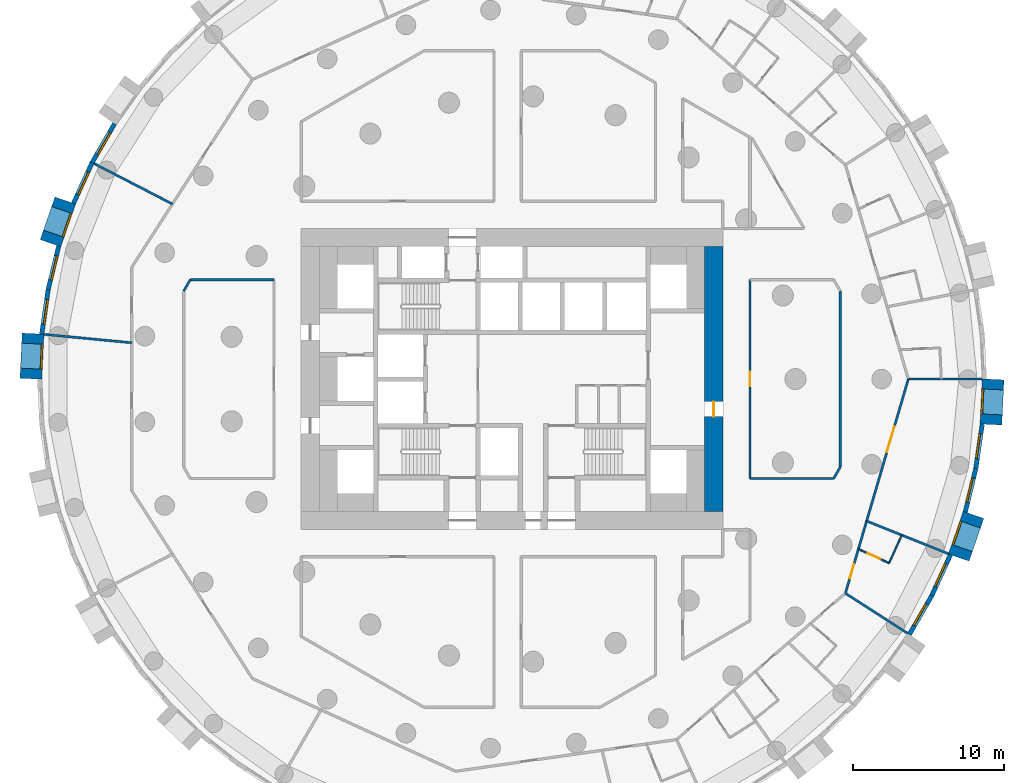
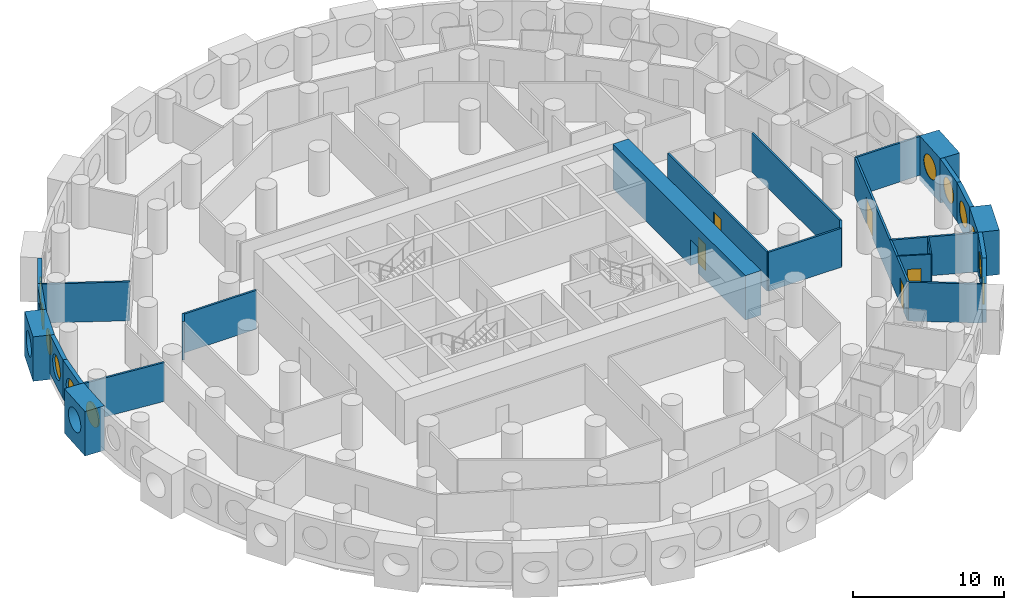
# One storey, part 6 of 12: 27 walls, 12 windows, 5 doors, 17 openings.
"""IFC4 building model written with IfcOpenShell, lengths in metres."""

from ifc_helpers import new_model, si_unit, direction, frame, frame_2d, origin, origin_2d, place, context, subcontext, project, spatial, rectangle, circle, extrude, material, layer, layer_set, type_object, element, fill, save


model = new_model("IFC4")

# Units and contexts
model_context = context("Model", 3, precision=1e-05, world=origin(), true_north=direction((0.0, 1.0)))
body_context = subcontext(model_context, "Body", "Model", "MODEL_VIEW")
ifc_project = project(units=[si_unit("LENGTHUNIT", "METRE"), si_unit("AREAUNIT", "SQUARE_METRE"), si_unit("VOLUMEUNIT", "CUBIC_METRE"), si_unit("PLANEANGLEUNIT", "RADIAN"), si_unit("MASSUNIT", "GRAM", prefix="KILO")], contexts=[model_context])

# Site, building, storey
site_placement = place(None, origin())
site = spatial("IfcSite", under=ifc_project, at=site_placement, CompositionType="ELEMENT")
building_placement = place(site_placement, origin())
building = spatial("IfcBuilding", under=site, at=building_placement, Name="Tracery Tower", CompositionType="ELEMENT")
storey_placement = place(building_placement, frame((0.0, 0.0, 75.0)))
storey = spatial("IfcBuildingStorey", under=building, at=storey_placement, Name="L18", CompositionType="ELEMENT", Elevation=75.0)

# Wall, opening, door
ifc_material_1 = material(Name="Concrete C60/75", Category="concrete")
ifc_layer_1 = layer(ifc_material_1, 1.199951171875)
ifc_layer_set_1 = layer_set([ifc_layer_1], Name="Core wall 1200 C60")
wall_type_1 = type_object("IfcWallType", Name="Core wall 1200 C60", PredefinedType="SOLIDWALL", material=ifc_layer_set_1)
wall_1_placement = place(storey_placement, frame((13.39990234375, -8.800048828125, 0.0), z_axis=(0.0, 0.0, 1.0), x_axis=(0.0, 1.0, 0.0)))
wall_1 = element("IfcWall", 1, at=wall_1_placement, inside=storey, type_object=wall_type_1, Name="L18 outer E", PredefinedType="SOLIDWALL", context=body_context, shape_type="SweptSolid", body=[
    extrude(rectangle(XDim=17.60009765625, YDim=1.199951171875, at=frame_2d((8.800048828125, 0.0))), origin(), (0.0, 0.0, 1.0), 3.60009765625),
])
opening_1_placement = place(wall_1_placement, frame((6.300048828125, 0.0, 0.0)))
opening_1 = element("IfcOpeningElement", 2, at=opening_1_placement, cuts=wall_1, Name="Opening KD18", PredefinedType="OPENING", context=body_context, shape_type="SweptSolid", body=[
    extrude(rectangle(XDim=1.0, YDim=2.10009765625, at=frame_2d((0.5, 1.050048828125))), frame((0.0, 0.60009765625, 0.0), z_axis=(0.0, -1.0, 0.0), x_axis=(1.0, 0.0, 0.0)), (0.0, 0.0, 1.0), 1.199951171875),
])
ifc_material_2 = material(Name="Steel fire door", Category="steel")
door_type_1 = type_object("IfcDoorType", Name="Core exit door 1000", OperationType="NOTDEFINED", PredefinedType="DOOR", material=ifc_material_2)
door_1_placement = place(opening_1_placement, origin())
door_1 = element("IfcDoor", 3, at=door_1_placement, inside=storey, type_object=door_type_1, Name="Core exit door", OperationType="DOUBLE_DOOR_SINGLE_SWING", OverallHeight=2.10009765625, OverallWidth=1.0, PredefinedType="DOOR", context=body_context, shape_type="SweptSolid", body=[
    extrude(rectangle(XDim=1.0, YDim=2.10009765625, at=frame_2d((0.5, 1.050048828125))), frame((0.0, 0.02490234375, 0.0), z_axis=(0.0, -1.0, 0.0), x_axis=(1.0, 0.0, 0.0)), (0.0, 0.0, 1.0), 0.050048828125),
])
fill(opening_1, door_1)

# Wall, opening, window
ifc_material_3 = material(Name="Precast concrete C50/60", Category="concrete")
ifc_layer_2 = layer(ifc_material_3, 1.449951171875)
ifc_layer_set_2 = layer_set([ifc_layer_2], Name="Deep-set bay unit 3000 x 3600, slab edge 450")
wall_type_2 = type_object("IfcWallType", Name="Deep-set bay unit 3000 x 3600, slab edge 450", PredefinedType="ELEMENTEDWALL", material=ifc_layer_set_2)
wall_2_placement = place(storey_placement, frame((-29.66796875, 11.85546875, -0.449951171875), z_axis=(0.0, 0.0, 1.0), x_axis=(-0.327071431777, -0.944999618262, 0.0)))
wall_2 = element("IfcWall", 4, at=wall_2_placement, inside=storey, type_object=wall_type_2, Name="Deep-set bay unit 30 at L18", PredefinedType="ELEMENTEDWALL", context=body_context, shape_type="SweptSolid", body=[
    extrude(rectangle(XDim=3.0, YDim=1.449951171875, at=frame_2d((1.5, 0.0))), origin(), (0.0, 0.0, 1.0), 3.599853515625),
])
opening_2_placement = place(wall_2_placement, frame((1.5, 0.0, 2.0)))
opening_2 = element("IfcOpeningElement", 5, at=opening_2_placement, cuts=wall_2, Name="Opening WN1", PredefinedType="OPENING", context=body_context, shape_type="SweptSolid", body=[
    extrude(circle(Radius=0.9000244140625, at=origin_2d()), frame((0.0, 0.73486328125, 0.0), z_axis=(0.0, -1.0, 0.0), x_axis=(1.0, 0.0, 0.0)), (0.0, 0.0, 1.0), 1.469970703125),
])
ifc_material_4 = material(Name="Aluminium frame with tinted double glazing", Category="aluminium")
window_type = type_object("IfcWindowType", Name="Round window 1800", PartitioningType="SINGLE_PANEL", PredefinedType="WINDOW", material=ifc_material_4)
window_1_placement = place(opening_2_placement, origin())
window_1 = element("IfcWindow", 6, at=window_1_placement, inside=storey, type_object=window_type, Name="Round window 30 at L18", OverallHeight=1.800048828125, OverallWidth=1.800048828125, PartitioningType="SINGLE_PANEL", PredefinedType="WINDOW", context=body_context, shape_type="SweptSolid", body=[
    extrude(circle(Radius=0.9000244140625, at=origin_2d()), frame((0.0, 0.69482421875, 0.0), z_axis=(0.0, -1.0, 0.0), x_axis=(1.0, 0.0, 0.0)), (0.0, 0.0, 1.0), 0.10009765625),
])
fill(opening_2, window_1)

wall_3_placement = place(storey_placement, frame((-31.806396484375, 3.016845703125, -0.449951171875), z_axis=(0.0, 0.0, 1.0), x_axis=(-0.047607680889, -0.998866111509, 0.0)))
wall_3 = element("IfcWall", 7, at=wall_3_placement, inside=storey, type_object=wall_type_2, Name="Deep-set bay unit 33 at L18", PredefinedType="ELEMENTEDWALL", context=body_context, shape_type="SweptSolid", body=[
    extrude(rectangle(XDim=3.0, YDim=1.449951171875, at=frame_2d((1.5, 0.0))), origin(), (0.0, 0.0, 1.0), 3.599853515625),
])
opening_3_placement = place(wall_3_placement, frame((1.5, 0.0, 2.0)))
opening_3 = element("IfcOpeningElement", 8, at=opening_3_placement, cuts=wall_3, Name="Opening WN1", PredefinedType="OPENING", context=body_context, shape_type="SweptSolid", body=[
    extrude(circle(Radius=0.9000244140625, at=origin_2d()), frame((0.0, 0.73486328125, 0.0), z_axis=(0.0, -1.0, 0.0), x_axis=(1.0, 0.0, 0.0)), (0.0, 0.0, 1.0), 1.469970703125),
])
window_2_placement = place(opening_3_placement, origin())
window_2 = element("IfcWindow", 9, at=window_2_placement, inside=storey, type_object=window_type, Name="Round window 33 at L18", OverallHeight=1.800048828125, OverallWidth=1.800048828125, PartitioningType="SINGLE_PANEL", PredefinedType="WINDOW", context=body_context, shape_type="SweptSolid", body=[
    extrude(circle(Radius=0.9000244140625, at=origin_2d()), frame((0.0, 0.69482421875, 0.0), z_axis=(0.0, -1.0, 0.0), x_axis=(1.0, 0.0, 0.0)), (0.0, 0.0, 1.0), 0.10009765625),
])
fill(opening_3, window_2)

wall_4_placement = place(storey_placement, frame((29.66796875, -11.85546875, -0.449951171875), z_axis=(0.0, 0.0, 1.0), x_axis=(0.327071431777, 0.944999618262, 0.0)))
wall_4 = element("IfcWall", 10, at=wall_4_placement, inside=storey, type_object=wall_type_2, Name="Deep-set bay unit 63 at L18", PredefinedType="ELEMENTEDWALL", context=body_context, shape_type="SweptSolid", body=[
    extrude(rectangle(XDim=3.0, YDim=1.449951171875, at=frame_2d((1.5, 0.0))), origin(), (0.0, 0.0, 1.0), 3.599853515625),
])
opening_4_placement = place(wall_4_placement, frame((1.5, 0.0, 2.0)))
opening_4 = element("IfcOpeningElement", 11, at=opening_4_placement, cuts=wall_4, Name="Opening WN1", PredefinedType="OPENING", context=body_context, shape_type="SweptSolid", body=[
    extrude(circle(Radius=0.9000244140625, at=origin_2d()), frame((0.0, 0.73486328125, 0.0), z_axis=(0.0, -1.0, 0.0), x_axis=(1.0, 0.0, 0.0)), (0.0, 0.0, 1.0), 1.469970703125),
])
window_3_placement = place(opening_4_placement, origin())
window_3 = element("IfcWindow", 12, at=window_3_placement, inside=storey, type_object=window_type, Name="Round window 63 at L18", OverallHeight=1.800048828125, OverallWidth=1.800048828125, PartitioningType="SINGLE_PANEL", PredefinedType="WINDOW", context=body_context, shape_type="SweptSolid", body=[
    extrude(circle(Radius=0.9000244140625, at=origin_2d()), frame((0.0, 0.69482421875, 0.0), z_axis=(0.0, -1.0, 0.0), x_axis=(1.0, 0.0, 0.0)), (0.0, 0.0, 1.0), 0.10009765625),
])
fill(opening_4, window_3)

wall_5_placement = place(storey_placement, frame((31.806396484375, -3.016845703125, -0.449951171875), z_axis=(0.0, 0.0, 1.0), x_axis=(0.047607680889, 0.998866111509, 0.0)))
wall_5 = element("IfcWall", 13, at=wall_5_placement, inside=storey, type_object=wall_type_2, Name="Deep-set bay unit 66 at L18", PredefinedType="ELEMENTEDWALL", context=body_context, shape_type="SweptSolid", body=[
    extrude(rectangle(XDim=3.0, YDim=1.449951171875, at=frame_2d((1.5, 0.0))), origin(), (0.0, 0.0, 1.0), 3.599853515625),
])
opening_5_placement = place(wall_5_placement, frame((1.5, 0.0, 2.0)))
opening_5 = element("IfcOpeningElement", 14, at=opening_5_placement, cuts=wall_5, Name="Opening WN1", PredefinedType="OPENING", context=body_context, shape_type="SweptSolid", body=[
    extrude(circle(Radius=0.9000244140625, at=origin_2d()), frame((0.0, 0.73486328125, 0.0), z_axis=(0.0, -1.0, 0.0), x_axis=(1.0, 0.0, 0.0)), (0.0, 0.0, 1.0), 1.469970703125),
])
window_4_placement = place(opening_5_placement, origin())
window_4 = element("IfcWindow", 15, at=window_4_placement, inside=storey, type_object=window_type, Name="Round window 66 at L18", OverallHeight=1.800048828125, OverallWidth=1.800048828125, PartitioningType="SINGLE_PANEL", PredefinedType="WINDOW", context=body_context, shape_type="SweptSolid", body=[
    extrude(circle(Radius=0.9000244140625, at=origin_2d()), frame((0.0, 0.69482421875, 0.0), z_axis=(0.0, -1.0, 0.0), x_axis=(1.0, 0.0, 0.0)), (0.0, 0.0, 1.0), 0.10009765625),
])
fill(opening_5, window_4)

ifc_material_5 = material(Name="Precast concrete C50/60", Category="concrete")
ifc_layer_3 = layer(ifc_material_5, 0.300048828125)
ifc_layer_set_3 = layer_set([ifc_layer_3], Name="Facade panel 3000 x 3150")
wall_type_3 = type_object("IfcWallType", Name="Facade panel 3000 x 3150", PredefinedType="SOLIDWALL", material=ifc_layer_set_3)
wall_6_placement = place(storey_placement, frame((-26.39697265625, 16.95703125, 0.0), z_axis=(0.0, 0.0, 1.0), x_axis=(-0.499999078476, -0.866025935826, 0.0)))
wall_6 = element("IfcWall", 16, at=wall_6_placement, inside=storey, type_object=wall_type_3, Name="Facade panel 28 at L18", PredefinedType="SOLIDWALL", context=body_context, shape_type="SweptSolid", body=[
    extrude(rectangle(XDim=2.9794921875, YDim=0.300048828125, at=frame_2d((1.48974609375, 0.0))), origin(), (0.0, 0.0, 1.0), 3.14990234375),
])
opening_6_placement = place(wall_6_placement, frame((1.48974609375, 0.0, 1.5498046875)))
opening_6 = element("IfcOpeningElement", 17, at=opening_6_placement, cuts=wall_6, Name="Opening WN1", PredefinedType="OPENING", context=body_context, shape_type="SweptSolid", body=[
    extrude(circle(Radius=0.9000244140625, at=origin_2d()), frame((0.0, 0.159912109375, 0.0), z_axis=(0.0, -1.0, 0.0), x_axis=(1.0, 0.0, 0.0)), (0.0, 0.0, 1.0), 0.320068359375),
])
window_5_placement = place(opening_6_placement, origin())
window_5 = element("IfcWindow", 18, at=window_5_placement, inside=storey, type_object=window_type, Name="Round window 28 at L18", OverallHeight=1.800048828125, OverallWidth=1.800048828125, PartitioningType="SINGLE_PANEL", PredefinedType="WINDOW", context=body_context, shape_type="SweptSolid", body=[
    extrude(circle(Radius=0.9000244140625, at=origin_2d()), frame((0.0, 0.1201171875, 0.0), z_axis=(0.0, -1.0, 0.0), x_axis=(1.0, 0.0, 0.0)), (0.0, 0.0, 1.0), 0.10009765625),
])
fill(opening_6, window_5)

wall_7_placement = place(storey_placement, frame((-27.88671875, 14.376708984375, 0.0), z_axis=(0.0, 0.0, 1.0), x_axis=(-0.415407317162, -0.909635509888, 0.0)))
wall_7 = element("IfcWall", 19, at=wall_7_placement, inside=storey, type_object=wall_type_3, Name="Facade panel 29 at L18", PredefinedType="SOLIDWALL", context=body_context, shape_type="SweptSolid", body=[
    extrude(rectangle(XDim=2.979736328125, YDim=0.300048828125, at=frame_2d((1.48974609375, 0.0))), origin(), (0.0, 0.0, 1.0), 3.14990234375),
])
opening_7_placement = place(wall_7_placement, frame((1.48974609375, 0.0, 1.5498046875)))
opening_7 = element("IfcOpeningElement", 20, at=opening_7_placement, cuts=wall_7, Name="Opening WN1", PredefinedType="OPENING", context=body_context, shape_type="SweptSolid", body=[
    extrude(circle(Radius=0.9000244140625, at=origin_2d()), frame((0.0, 0.159912109375, 0.0), z_axis=(0.0, -1.0, 0.0), x_axis=(1.0, 0.0, 0.0)), (0.0, 0.0, 1.0), 0.320068359375),
])
window_6_placement = place(opening_7_placement, origin())
window_6 = element("IfcWindow", 21, at=window_6_placement, inside=storey, type_object=window_type, Name="Round window 29 at L18", OverallHeight=1.800048828125, OverallWidth=1.800048828125, PartitioningType="SINGLE_PANEL", PredefinedType="WINDOW", context=body_context, shape_type="SweptSolid", body=[
    extrude(circle(Radius=0.9000244140625, at=origin_2d()), frame((0.0, 0.1201171875, 0.0), z_axis=(0.0, -1.0, 0.0), x_axis=(1.0, 0.0, 0.0)), (0.0, 0.0, 1.0), 0.10009765625),
])
fill(opening_7, window_6)

wall_8_placement = place(storey_placement, frame((-30.10498046875, 8.833251953125, 0.0), z_axis=(0.0, 0.0, 1.0), x_axis=(-0.235743081534, -0.971815414319, 0.0)))
wall_8 = element("IfcWall", 22, at=wall_8_placement, inside=storey, type_object=wall_type_3, Name="Facade panel 31 at L18", PredefinedType="SOLIDWALL", context=body_context, shape_type="SweptSolid", body=[
    extrude(rectangle(XDim=2.9794921875, YDim=0.300048828125, at=frame_2d((1.48974609375, 0.0))), origin(), (0.0, 0.0, 1.0), 3.14990234375),
])
opening_8_placement = place(wall_8_placement, frame((1.48974609375, 0.0, 1.5498046875)))
opening_8 = element("IfcOpeningElement", 23, at=opening_8_placement, cuts=wall_8, Name="Opening WN1", PredefinedType="OPENING", context=body_context, shape_type="SweptSolid", body=[
    extrude(circle(Radius=0.9000244140625, at=origin_2d()), frame((0.0, 0.159912109375, 0.0), z_axis=(0.0, -1.0, 0.0), x_axis=(1.0, 0.0, 0.0)), (0.0, 0.0, 1.0), 0.320068359375),
])
window_7_placement = place(opening_8_placement, origin())
window_7 = element("IfcWindow", 24, at=window_7_placement, inside=storey, type_object=window_type, Name="Round window 31 at L18", OverallHeight=1.800048828125, OverallWidth=1.800048828125, PartitioningType="SINGLE_PANEL", PredefinedType="WINDOW", context=body_context, shape_type="SweptSolid", body=[
    extrude(circle(Radius=0.9000244140625, at=origin_2d()), frame((0.0, 0.1201171875, 0.0), z_axis=(0.0, -1.0, 0.0), x_axis=(1.0, 0.0, 0.0)), (0.0, 0.0, 1.0), 0.10009765625),
])
fill(opening_8, window_7)

wall_9_placement = place(storey_placement, frame((-30.807373046875, 5.937744140625, 0.0), z_axis=(0.0, 0.0, 1.0), x_axis=(-0.142315996627, -0.989821275334, 0.0)))
wall_9 = element("IfcWall", 25, at=wall_9_placement, inside=storey, type_object=wall_type_3, Name="Facade panel 32 at L18", PredefinedType="SOLIDWALL", context=body_context, shape_type="SweptSolid", body=[
    extrude(rectangle(XDim=2.979736328125, YDim=0.300048828125, at=frame_2d((1.48974609375, 0.0))), origin(), (0.0, 0.0, 1.0), 3.14990234375),
])
opening_9_placement = place(wall_9_placement, frame((1.48974609375, 0.0, 1.5498046875)))
opening_9 = element("IfcOpeningElement", 26, at=opening_9_placement, cuts=wall_9, Name="Opening WN1", PredefinedType="OPENING", context=body_context, shape_type="SweptSolid", body=[
    extrude(circle(Radius=0.9000244140625, at=origin_2d()), frame((0.0, 0.159912109375, 0.0), z_axis=(0.0, -1.0, 0.0), x_axis=(1.0, 0.0, 0.0)), (0.0, 0.0, 1.0), 0.320068359375),
])
window_8_placement = place(opening_9_placement, origin())
window_8 = element("IfcWindow", 27, at=window_8_placement, inside=storey, type_object=window_type, Name="Round window 32 at L18", OverallHeight=1.800048828125, OverallWidth=1.800048828125, PartitioningType="SINGLE_PANEL", PredefinedType="WINDOW", context=body_context, shape_type="SweptSolid", body=[
    extrude(circle(Radius=0.9000244140625, at=origin_2d()), frame((0.0, 0.1201171875, 0.0), z_axis=(0.0, -1.0, 0.0), x_axis=(1.0, 0.0, 0.0)), (0.0, 0.0, 1.0), 0.10009765625),
])
fill(opening_9, window_8)

wall_10_placement = place(storey_placement, frame((26.39697265625, -16.95703125, 0.0), z_axis=(0.0, 0.0, 1.0), x_axis=(0.499999078476, 0.866025935826, 0.0)))
wall_10 = element("IfcWall", 28, at=wall_10_placement, inside=storey, type_object=wall_type_3, Name="Facade panel 61 at L18", PredefinedType="SOLIDWALL", context=body_context, shape_type="SweptSolid", body=[
    extrude(rectangle(XDim=2.9794921875, YDim=0.300048828125, at=frame_2d((1.48974609375, 0.0))), origin(), (0.0, 0.0, 1.0), 3.14990234375),
])
opening_10_placement = place(wall_10_placement, frame((1.48974609375, 0.0, 1.5498046875)))
opening_10 = element("IfcOpeningElement", 29, at=opening_10_placement, cuts=wall_10, Name="Opening WN1", PredefinedType="OPENING", context=body_context, shape_type="SweptSolid", body=[
    extrude(circle(Radius=0.9000244140625, at=origin_2d()), frame((0.0, 0.159912109375, 0.0), z_axis=(0.0, -1.0, 0.0), x_axis=(1.0, 0.0, 0.0)), (0.0, 0.0, 1.0), 0.320068359375),
])
window_9_placement = place(opening_10_placement, origin())
window_9 = element("IfcWindow", 30, at=window_9_placement, inside=storey, type_object=window_type, Name="Round window 61 at L18", OverallHeight=1.800048828125, OverallWidth=1.800048828125, PartitioningType="SINGLE_PANEL", PredefinedType="WINDOW", context=body_context, shape_type="SweptSolid", body=[
    extrude(circle(Radius=0.9000244140625, at=origin_2d()), frame((0.0, 0.1201171875, 0.0), z_axis=(0.0, -1.0, 0.0), x_axis=(1.0, 0.0, 0.0)), (0.0, 0.0, 1.0), 0.10009765625),
])
fill(opening_10, window_9)

wall_11_placement = place(storey_placement, frame((27.88671875, -14.376708984375, 0.0), z_axis=(0.0, 0.0, 1.0), x_axis=(0.415407317162, 0.909635509888, 0.0)))
wall_11 = element("IfcWall", 31, at=wall_11_placement, inside=storey, type_object=wall_type_3, Name="Facade panel 62 at L18", PredefinedType="SOLIDWALL", context=body_context, shape_type="SweptSolid", body=[
    extrude(rectangle(XDim=2.979736328125, YDim=0.300048828125, at=frame_2d((1.48974609375, 0.0))), origin(), (0.0, 0.0, 1.0), 3.14990234375),
])
opening_11_placement = place(wall_11_placement, frame((1.48974609375, 0.0, 1.5498046875)))
opening_11 = element("IfcOpeningElement", 32, at=opening_11_placement, cuts=wall_11, Name="Opening WN1", PredefinedType="OPENING", context=body_context, shape_type="SweptSolid", body=[
    extrude(circle(Radius=0.9000244140625, at=origin_2d()), frame((0.0, 0.159912109375, 0.0), z_axis=(0.0, -1.0, 0.0), x_axis=(1.0, 0.0, 0.0)), (0.0, 0.0, 1.0), 0.320068359375),
])
window_10_placement = place(opening_11_placement, origin())
window_10 = element("IfcWindow", 33, at=window_10_placement, inside=storey, type_object=window_type, Name="Round window 62 at L18", OverallHeight=1.800048828125, OverallWidth=1.800048828125, PartitioningType="SINGLE_PANEL", PredefinedType="WINDOW", context=body_context, shape_type="SweptSolid", body=[
    extrude(circle(Radius=0.9000244140625, at=origin_2d()), frame((0.0, 0.1201171875, 0.0), z_axis=(0.0, -1.0, 0.0), x_axis=(1.0, 0.0, 0.0)), (0.0, 0.0, 1.0), 0.10009765625),
])
fill(opening_11, window_10)

wall_12_placement = place(storey_placement, frame((30.10498046875, -8.833251953125, 0.0), z_axis=(0.0, 0.0, 1.0), x_axis=(0.235743081534, 0.971815414319, 0.0)))
wall_12 = element("IfcWall", 34, at=wall_12_placement, inside=storey, type_object=wall_type_3, Name="Facade panel 64 at L18", PredefinedType="SOLIDWALL", context=body_context, shape_type="SweptSolid", body=[
    extrude(rectangle(XDim=2.9794921875, YDim=0.300048828125, at=frame_2d((1.48974609375, 0.0))), origin(), (0.0, 0.0, 1.0), 3.14990234375),
])
opening_12_placement = place(wall_12_placement, frame((1.48974609375, 0.0, 1.5498046875)))
opening_12 = element("IfcOpeningElement", 35, at=opening_12_placement, cuts=wall_12, Name="Opening WN1", PredefinedType="OPENING", context=body_context, shape_type="SweptSolid", body=[
    extrude(circle(Radius=0.9000244140625, at=origin_2d()), frame((0.0, 0.159912109375, 0.0), z_axis=(0.0, -1.0, 0.0), x_axis=(1.0, 0.0, 0.0)), (0.0, 0.0, 1.0), 0.320068359375),
])
window_11_placement = place(opening_12_placement, origin())
window_11 = element("IfcWindow", 36, at=window_11_placement, inside=storey, type_object=window_type, Name="Round window 64 at L18", OverallHeight=1.800048828125, OverallWidth=1.800048828125, PartitioningType="SINGLE_PANEL", PredefinedType="WINDOW", context=body_context, shape_type="SweptSolid", body=[
    extrude(circle(Radius=0.9000244140625, at=origin_2d()), frame((0.0, 0.1201171875, 0.0), z_axis=(0.0, -1.0, 0.0), x_axis=(1.0, 0.0, 0.0)), (0.0, 0.0, 1.0), 0.10009765625),
])
fill(opening_12, window_11)

wall_13_placement = place(storey_placement, frame((30.807373046875, -5.937744140625, 0.0), z_axis=(0.0, 0.0, 1.0), x_axis=(0.142315996627, 0.989821275334, 0.0)))
wall_13 = element("IfcWall", 37, at=wall_13_placement, inside=storey, type_object=wall_type_3, Name="Facade panel 65 at L18", PredefinedType="SOLIDWALL", context=body_context, shape_type="SweptSolid", body=[
    extrude(rectangle(XDim=2.979736328125, YDim=0.300048828125, at=frame_2d((1.48974609375, 0.0))), origin(), (0.0, 0.0, 1.0), 3.14990234375),
])
opening_13_placement = place(wall_13_placement, frame((1.48974609375, 0.0, 1.5498046875)))
opening_13 = element("IfcOpeningElement", 38, at=opening_13_placement, cuts=wall_13, Name="Opening WN1", PredefinedType="OPENING", context=body_context, shape_type="SweptSolid", body=[
    extrude(circle(Radius=0.9000244140625, at=origin_2d()), frame((0.0, 0.159912109375, 0.0), z_axis=(0.0, -1.0, 0.0), x_axis=(1.0, 0.0, 0.0)), (0.0, 0.0, 1.0), 0.320068359375),
])
window_12_placement = place(opening_13_placement, origin())
window_12 = element("IfcWindow", 39, at=window_12_placement, inside=storey, type_object=window_type, Name="Round window 65 at L18", OverallHeight=1.800048828125, OverallWidth=1.800048828125, PartitioningType="SINGLE_PANEL", PredefinedType="WINDOW", context=body_context, shape_type="SweptSolid", body=[
    extrude(circle(Radius=0.9000244140625, at=origin_2d()), frame((0.0, 0.1201171875, 0.0), z_axis=(0.0, -1.0, 0.0), x_axis=(1.0, 0.0, 0.0)), (0.0, 0.0, 1.0), 0.10009765625),
])
fill(opening_13, window_12)

# Wall, opening, door
ifc_material_6 = material(Name="Plasterboard on steel studs", Category="steel")
ifc_layer_4 = layer(ifc_material_6, 0.10009765625)
ifc_layer_set_4 = layer_set([ifc_layer_4], Name="Partition 100 wet wall")
wall_type_4 = type_object("IfcWallType", Name="Partition 100 wet wall", PredefinedType="PARTITIONING", material=ifc_layer_set_4)
wall_14_placement = place(storey_placement, frame((23.0029296875, -11.291015625, 0.0), z_axis=(0.0, 0.0, 1.0), x_axis=(0.90975773562, -0.41513956988, 0.0)))
wall_14 = element("IfcWall", 40, at=wall_14_placement, inside=storey, type_object=wall_type_4, Name="Wet wall RA5-099", PredefinedType="PARTITIONING", context=body_context, shape_type="SweptSolid", body=[
    extrude(rectangle(XDim=2.242431640625, YDim=0.10009765625, at=frame_2d((1.12109375, 0.0))), origin(), (0.0, 0.0, 1.0), 3.14990234375),
])
opening_14_placement = place(wall_14_placement, frame((0.6708984375, 0.0, 0.0)))
opening_14 = element("IfcOpeningElement", 41, at=opening_14_placement, cuts=wall_14, Name="Opening RA5-39", PredefinedType="OPENING", context=body_context, shape_type="SweptSolid", body=[
    extrude(rectangle(XDim=0.89990234375, YDim=2.0400390625, at=frame_2d((0.449951171875, 1.02001953125))), frame((0.0, 0.050048828125, 0.0), z_axis=(0.0, -1.0, 0.0), x_axis=(1.0, 0.0, 0.0)), (0.0, 0.0, 1.0), 0.10009765625),
])
ifc_material_7 = material(Name="Timber door leaf", Category="wood")
door_type_2 = type_object("IfcDoorType", Name="Door en-suite 900", OperationType="NOTDEFINED", PredefinedType="DOOR", material=ifc_material_7)
door_2_placement = place(opening_14_placement, origin())
door_2 = element("IfcDoor", 42, at=door_2_placement, inside=storey, type_object=door_type_2, Name="En-suite door RA5-39", OperationType="SINGLE_SWING_LEFT", OverallHeight=2.0400390625, OverallWidth=0.89990234375, PredefinedType="DOOR", context=body_context, shape_type="SweptSolid", body=[
    extrude(rectangle(XDim=0.89990234375, YDim=2.0400390625, at=frame_2d((0.449951171875, 1.02001953125))), frame((0.0, 0.02490234375, 0.0), z_axis=(0.0, -1.0, 0.0), x_axis=(1.0, 0.0, 0.0)), (0.0, 0.0, 1.0), 0.050048828125),
])
fill(opening_14, door_2)

# Walls
wall_15_placement = place(storey_placement, frame((25.04296875, -12.221923828125, 0.0), z_axis=(0.0, 0.0, 1.0), x_axis=(0.41546015385, 0.909611378866, 0.0)))
element("IfcWall", 43, at=wall_15_placement, inside=storey, type_object=wall_type_4, Name="Wet wall RA5-100", PredefinedType="PARTITIONING", context=body_context, shape_type="SweptSolid", body=[
    extrude(rectangle(XDim=2.04150390625, YDim=0.10009765625, at=frame_2d((1.020751953125, 0.0))), origin(), (0.0, 0.0, 1.0), 3.14990234375),
])
ifc_material_8 = material(Name="Plasterboard on steel studs", Category="steel")
ifc_layer_5 = layer(ifc_material_8, 0.14990234375)
ifc_layer_set_5 = layer_set([ifc_layer_5], Name="Partition 150 acoustic unit wall")
wall_type_5 = type_object("IfcWallType", Name="Partition 150 acoustic unit wall", PredefinedType="PARTITIONING", material=ifc_layer_set_5)
wall_16_placement = place(storey_placement, frame((26.319091796875, 0.0, 0.0), z_axis=(0.0, 0.0, 1.0), x_axis=(1.0, 0.0, 0.0)))
element("IfcWall", 44, at=wall_16_placement, inside=storey, type_object=wall_type_5, Name="Unit wall RA5-061", PredefinedType="PARTITIONING", context=body_context, shape_type="SweptSolid", body=[
    extrude(rectangle(XDim=4.905029296875, YDim=0.14990234375, at=frame_2d((2.45263671875, 0.0))), origin(), (0.0, 0.0, 1.0), 3.14990234375),
])
wall_17_placement = place(storey_placement, frame((-27.7529296875, 14.30810546875, 0.0), z_axis=(0.0, 0.0, 1.0), x_axis=(0.88877955153, -0.45833493079, 0.0)))
element("IfcWall", 45, at=wall_17_placement, inside=storey, type_object=wall_type_5, Name="Unit wall RA5-082", PredefinedType="PARTITIONING", context=body_context, shape_type="SweptSolid", body=[
    extrude(rectangle(XDim=5.856201171875, YDim=0.14990234375, at=frame_2d((2.92822265625, 0.0))), origin(), (0.0, 0.0, 1.0), 3.14990234375),
])
wall_18_placement = place(storey_placement, frame((-31.0830078125, 2.968017578125, 0.0), z_axis=(0.0, 0.0, 1.0), x_axis=(0.995465070325, -0.095127775983, 0.0)))
element("IfcWall", 46, at=wall_18_placement, inside=storey, type_object=wall_type_5, Name="Unit wall RA5-083", PredefinedType="PARTITIONING", context=body_context, shape_type="SweptSolid", body=[
    extrude(rectangle(XDim=5.856689453125, YDim=0.14990234375, at=frame_2d((2.92822265625, 0.0))), origin(), (0.0, 0.0, 1.0), 3.14990234375),
])
wall_19_placement = place(storey_placement, frame((22.14111328125, -14.22900390625, 0.0), z_axis=(0.0, 0.0, 1.0), x_axis=(0.841265781699, -0.540621757371, 0.0)))
element("IfcWall", 47, at=wall_19_placement, inside=storey, type_object=wall_type_5, Name="Unit wall RA5-098", PredefinedType="PARTITIONING", context=body_context, shape_type="SweptSolid", body=[
    extrude(rectangle(XDim=4.90576171875, YDim=0.14990234375, at=frame_2d((2.452880859375, 0.0))), origin(), (0.0, 0.0, 1.0), 3.14990234375),
])
wall_20_placement = place(storey_placement, frame((23.550048828125, -9.427734375, 0.0), z_axis=(0.0, 0.0, 1.0), x_axis=(0.928355916729, -0.371692469489, 0.0)))
element("IfcWall", 48, at=wall_20_placement, inside=storey, type_object=wall_type_5, Name="Unit wall RA5-101", PredefinedType="PARTITIONING", context=body_context, shape_type="SweptSolid", body=[
    extrude(rectangle(XDim=5.857666015625, YDim=0.14990234375, at=frame_2d((2.9287109375, 0.0))), origin(), (0.0, 0.0, 1.0), 3.14990234375),
])

# Wall, opening, door
ifc_material_9 = material(Name="Plasterboard on steel studs", Category="steel")
ifc_layer_6 = layer(ifc_material_9, 0.14990234375)
ifc_layer_set_6 = layer_set([ifc_layer_6], Name="Partition 150 corridor wall")
wall_type_6 = type_object("IfcWallType", Name="Partition 150 corridor wall", PredefinedType="PARTITIONING", material=ifc_layer_set_6)
wall_21_placement = place(storey_placement, frame((15.800048828125, -6.60400390625, 0.0), z_axis=(0.0, 0.0, 1.0), x_axis=(0.0, 1.0, 0.0)))
wall_21 = element("IfcWall", 49, at=wall_21_placement, inside=storey, type_object=wall_type_6, Name="Corridor wall RA5-011", PredefinedType="PARTITIONING", context=body_context, shape_type="SweptSolid", body=[
    extrude(rectangle(XDim=13.2080078125, YDim=0.14990234375, at=frame_2d((6.60400390625, 0.0))), origin(), (0.0, 0.0, 1.0), 3.14990234375),
])
opening_15_placement = place(wall_21_placement, frame((6.12890625, 0.0, 0.0)))
opening_15 = element("IfcOpeningElement", 50, at=opening_15_placement, cuts=wall_21, Name="Opening RA5-07", PredefinedType="OPENING", context=body_context, shape_type="SweptSolid", body=[
    extrude(rectangle(XDim=0.949951171875, YDim=2.10009765625, at=frame_2d((0.47509765625, 1.050048828125))), frame((0.0, 0.074951171875, 0.0), z_axis=(0.0, -1.0, 0.0), x_axis=(1.0, 0.0, 0.0)), (0.0, 0.0, 1.0), 0.14990234375),
])
ifc_material_10 = material(Name="Timber door leaf", Category="wood")
door_type_3 = type_object("IfcDoorType", Name="Door store 950", OperationType="NOTDEFINED", PredefinedType="DOOR", material=ifc_material_10)
door_3_placement = place(opening_15_placement, origin())
door_3 = element("IfcDoor", 51, at=door_3_placement, inside=storey, type_object=door_type_3, Name="Store door RA5-07", OperationType="SINGLE_SWING_LEFT", OverallHeight=2.10009765625, OverallWidth=0.949951171875, PredefinedType="DOOR", context=body_context, shape_type="SweptSolid", body=[
    extrude(rectangle(XDim=0.949951171875, YDim=2.10009765625, at=frame_2d((0.47509765625, 1.050048828125))), frame((0.0, 0.02490234375, 0.0), z_axis=(0.0, -1.0, 0.0), x_axis=(1.0, 0.0, 0.0)), (0.0, 0.0, 1.0), 0.050048828125),
])
fill(opening_15, door_3)

# Walls
wall_22_placement = place(storey_placement, frame((15.800048828125, -6.60009765625, 0.0), z_axis=(0.0, 0.0, 1.0), x_axis=(1.0, 0.0, 0.0)))
element("IfcWall", 52, at=wall_22_placement, inside=storey, type_object=wall_type_6, Name="Corridor wall RA5-014", PredefinedType="PARTITIONING", context=body_context, shape_type="SweptSolid", body=[
    extrude(rectangle(XDim=5.56396484375, YDim=0.14990234375, at=frame_2d((2.781982421875, 0.0))), origin(), (0.0, 0.0, 1.0), 3.14990234375),
])
wall_23_placement = place(storey_placement, frame((21.364013671875, -6.60009765625, 0.0), z_axis=(0.0, 0.0, 1.0), x_axis=(0.500277597875, 0.865865073245, 0.0)))
element("IfcWall", 53, at=wall_23_placement, inside=storey, type_object=wall_type_6, Name="Corridor wall RA5-015", PredefinedType="PARTITIONING", context=body_context, shape_type="SweptSolid", body=[
    extrude(rectangle(XDim=0.87548828125, YDim=0.14990234375, at=frame_2d((0.437744140625, 0.0))), origin(), (0.0, 0.0, 1.0), 3.14990234375),
])
wall_24_placement = place(storey_placement, frame((21.802001953125, -5.842041015625, 0.0), z_axis=(0.0, 0.0, 1.0), x_axis=(0.0, 1.0, 0.0)))
element("IfcWall", 54, at=wall_24_placement, inside=storey, type_object=wall_type_6, Name="Corridor wall RA5-016", PredefinedType="PARTITIONING", context=body_context, shape_type="SweptSolid", body=[
    extrude(rectangle(XDim=11.68408203125, YDim=0.14990234375, at=frame_2d((5.842041015625, 0.0))), origin(), (0.0, 0.0, 1.0), 3.14990234375),
])

# Wall, openings, doors
wall_25_placement = place(storey_placement, frame((22.14111328125, -14.22900390625, 0.0), z_axis=(0.0, 0.0, 1.0), x_axis=(0.281765208947, 0.959483385488, 0.0)))
wall_25 = element("IfcWall", 55, at=wall_25_placement, inside=storey, type_object=wall_type_6, Name="Corridor wall RA5-023", PredefinedType="PARTITIONING", context=body_context, shape_type="SweptSolid", body=[
    extrude(rectangle(XDim=14.82958984375, YDim=0.14990234375, at=frame_2d((7.414794921875, 0.0))), origin(), (0.0, 0.0, 1.0), 3.14990234375),
])
opening_16_placement = place(wall_25_placement, frame((1.033203125, 0.0, 0.0)))
opening_16 = element("IfcOpeningElement", 56, at=opening_16_placement, cuts=wall_25, Name="Opening RA5-40", PredefinedType="OPENING", context=body_context, shape_type="SweptSolid", body=[
    extrude(rectangle(XDim=1.0, YDim=2.10009765625, at=frame_2d((0.5, 1.050048828125))), frame((0.0, 0.074951171875, 0.0), z_axis=(0.0, -1.0, 0.0), x_axis=(1.0, 0.0, 0.0)), (0.0, 0.0, 1.0), 0.14990234375),
])
opening_17_placement = place(wall_25_placement, frame((9.7646484375, 0.0, 0.0)))
opening_17 = element("IfcOpeningElement", 57, at=opening_17_placement, cuts=wall_25, Name="Opening RA5-41", PredefinedType="OPENING", context=body_context, shape_type="SweptSolid", body=[
    extrude(rectangle(XDim=1.800048828125, YDim=2.10009765625, at=frame_2d((0.89990234375, 1.050048828125))), frame((0.0, 0.074951171875, 0.0), z_axis=(0.0, -1.0, 0.0), x_axis=(1.0, 0.0, 0.0)), (0.0, 0.0, 1.0), 0.14990234375),
])
ifc_material_11 = material(Name="Timber door leaf", Category="wood")
door_type_4 = type_object("IfcDoorType", Name="Door double lounge 1800", OperationType="NOTDEFINED", PredefinedType="DOOR", material=ifc_material_11)
door_4_placement = place(opening_17_placement, origin())
door_4 = element("IfcDoor", 58, at=door_4_placement, inside=storey, type_object=door_type_4, Name="Double lounge door RA5-41", OperationType="DOUBLE_DOOR_SINGLE_SWING", OverallHeight=2.10009765625, OverallWidth=1.800048828125, PredefinedType="DOOR", context=body_context, shape_type="SweptSolid", body=[
    extrude(rectangle(XDim=1.800048828125, YDim=2.10009765625, at=frame_2d((0.89990234375, 1.050048828125))), frame((0.0, 0.02490234375, 0.0), z_axis=(0.0, -1.0, 0.0), x_axis=(1.0, 0.0, 0.0)), (0.0, 0.0, 1.0), 0.050048828125),
])
fill(opening_17, door_4)
ifc_material_12 = material(Name="Timber door leaf", Category="wood")
door_type_5 = type_object("IfcDoorType", Name="Door unit entrance 1000", OperationType="NOTDEFINED", PredefinedType="DOOR", material=ifc_material_12)
door_5_placement = place(opening_16_placement, origin())
door_5 = element("IfcDoor", 59, at=door_5_placement, inside=storey, type_object=door_type_5, Name="Unit entrance door RA5-40", OperationType="SINGLE_SWING_LEFT", OverallHeight=2.10009765625, OverallWidth=1.0, PredefinedType="DOOR", context=body_context, shape_type="SweptSolid", body=[
    extrude(rectangle(XDim=1.0, YDim=2.10009765625, at=frame_2d((0.5, 1.050048828125))), frame((0.0, 0.02490234375, 0.0), z_axis=(0.0, -1.0, 0.0), x_axis=(1.0, 0.0, 0.0)), (0.0, 0.0, 1.0), 0.050048828125),
])
fill(opening_16, door_5)

# Walls
wall_26_placement = place(storey_placement, frame((-21.364013671875, 6.60009765625, 0.0), z_axis=(0.0, 0.0, 1.0), x_axis=(1.0, 0.0, 0.0)))
element("IfcWall", 60, at=wall_26_placement, inside=storey, type_object=wall_type_6, Name="Corridor wall RA5-038", PredefinedType="PARTITIONING", context=body_context, shape_type="SweptSolid", body=[
    extrude(rectangle(XDim=5.56396484375, YDim=0.14990234375, at=frame_2d((2.781982421875, 0.0))), origin(), (0.0, 0.0, 1.0), 3.14990234375),
])
wall_27_placement = place(storey_placement, frame((-21.802001953125, 5.842041015625, 0.0), z_axis=(0.0, 0.0, 1.0), x_axis=(0.500277597875, 0.865865073245, 0.0)))
element("IfcWall", 61, at=wall_27_placement, inside=storey, type_object=wall_type_6, Name="Corridor wall RA5-039", PredefinedType="PARTITIONING", context=body_context, shape_type="SweptSolid", body=[
    extrude(rectangle(XDim=0.87548828125, YDim=0.14990234375, at=frame_2d((0.437744140625, 0.0))), origin(), (0.0, 0.0, 1.0), 3.14990234375),
])

save(model, "model.ifc")
